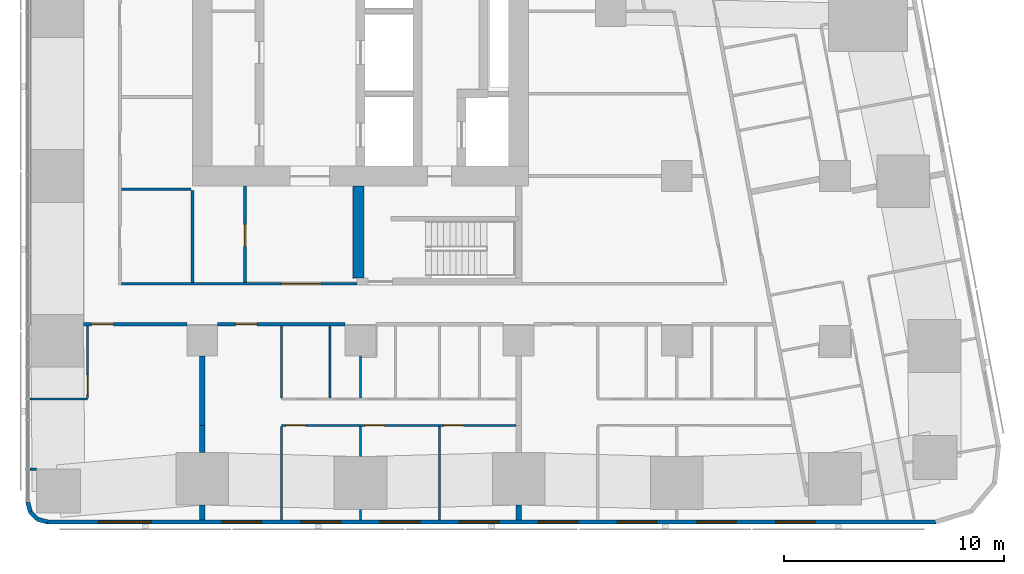
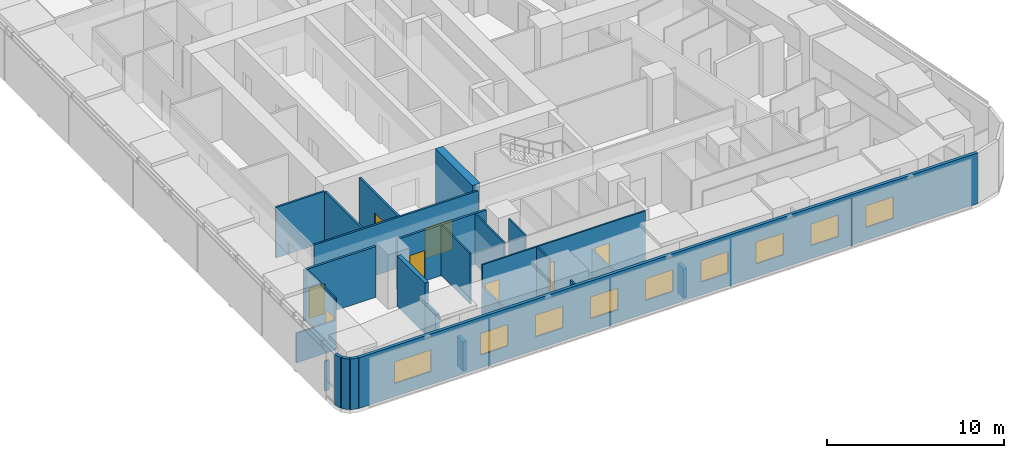
# One storey, part 10 of 19: 26 walls, 9 windows, 8 doors, 17 openings.
"""IFC4 building model written with IfcOpenShell, lengths in metres."""

from ifc_helpers import new_model, si_unit, direction, frame, frame_2d, origin, place, context, subcontext, project, spatial, rectangle, extrude, material, layer, layer_set, type_object, element, fill, save


model = new_model("IFC4")

# Units and contexts
model_context = context("Model", 3, precision=1e-05, world=origin(), true_north=direction((0.0, 1.0)))
body_context = subcontext(model_context, "Body", "Model", "MODEL_VIEW")
ifc_project = project(units=[si_unit("LENGTHUNIT", "METRE"), si_unit("AREAUNIT", "SQUARE_METRE"), si_unit("VOLUMEUNIT", "CUBIC_METRE"), si_unit("PLANEANGLEUNIT", "RADIAN"), si_unit("MASSUNIT", "GRAM", prefix="KILO")], contexts=[model_context])

# Site, building, storey
site_placement = place(None, origin())
site = spatial("IfcSite", under=ifc_project, at=site_placement, CompositionType="ELEMENT")
building_placement = place(site_placement, origin())
building = spatial("IfcBuilding", under=site, at=building_placement, Name="Sheger Commons Tower", CompositionType="ELEMENT")
storey_placement = place(building_placement, frame((0.0, 0.0, 197.449951171875)))
storey = spatial("IfcBuildingStorey", under=building, at=storey_placement, Name="L50", CompositionType="ELEMENT", Elevation=197.449951171875)

# Wall, opening, door
ifc_material_1 = material(Name="Hollow concrete block masonry, skimmed both sides", Category="masonry")
ifc_layer_1 = layer(ifc_material_1, 0.14990234375)
ifc_layer_set_1 = layer_set([ifc_layer_1], Name="CORRIDOR WALL 150")
wall_type_1 = type_object("IfcWallType", Name="CORRIDOR WALL 150", PredefinedType="SOLIDWALL", material=ifc_layer_set_1)
wall_1_placement = place(storey_placement, frame((20.89892578125, 8.25, 0.0), z_axis=(0.0, 0.0, 1.0), x_axis=(-1.0, 0.0, 0.0)))
wall_1 = element("IfcWall", 1, at=wall_1_placement, inside=storey, type_object=wall_type_1, Name="Corridor wall L50", PredefinedType="SOLIDWALL", context=body_context, shape_type="SweptSolid", body=[
    extrude(rectangle(XDim=5.7978515625, YDim=0.14990234375, at=frame_2d((2.89892578125, 0.0))), origin(), (0.0, 0.0, 1.0), 3.5),
])
opening_1_placement = place(wall_1_placement, frame((3.9990234375, 0.0, 0.0)))
opening_1 = element("IfcOpeningElement", 2, at=opening_1_placement, cuts=wall_1, Name="Opening D1", PredefinedType="OPENING", context=body_context, shape_type="SweptSolid", body=[
    extrude(rectangle(XDim=1.0, YDim=2.10009765625, at=frame_2d((0.5, 1.050048828125))), frame((0.0, 0.0849609375, 0.0), z_axis=(0.0, -1.0, 0.0), x_axis=(1.0, 0.0, 0.0)), (0.0, 0.0, 1.0), 0.169921875),
])
ifc_material_2 = material(Name="Steel door set, fire rated", Category="steel")
door_type_1 = type_object("IfcDoorType", Name="FLAT ENTRANCE DOOR 1000x2100", OperationType="NOTDEFINED", PredefinedType="DOOR", material=ifc_material_2)
door_1_placement = place(opening_1_placement, origin())
door_1 = element("IfcDoor", 3, at=door_1_placement, inside=storey, type_object=door_type_1, Name="Flat entrance door", OperationType="SINGLE_SWING_RIGHT", OverallHeight=2.10009765625, OverallWidth=1.0, PredefinedType="DOOR", context=body_context, shape_type="SweptSolid", body=[
    extrude(rectangle(XDim=1.0, YDim=2.10009765625, at=frame_2d((0.5, 1.050048828125))), frame((0.0, 0.02490234375, 0.0), z_axis=(0.0, -1.0, 0.0), x_axis=(1.0, 0.0, 0.0)), (0.0, 0.0, 1.0), 0.050048828125),
])
fill(opening_1, door_1)

wall_2_placement = place(storey_placement, frame((13.698974609375, 8.25, 0.0), z_axis=(0.0, 0.0, 1.0), x_axis=(-1.0, 0.0, 0.0)))
wall_2 = element("IfcWall", 4, at=wall_2_placement, inside=storey, type_object=wall_type_1, Name="Corridor wall L50", PredefinedType="SOLIDWALL", context=body_context, shape_type="SweptSolid", body=[
    extrude(rectangle(XDim=4.697998046875, YDim=0.14990234375, at=frame_2d((2.34912109375, 0.0))), origin(), (0.0, 0.0, 1.0), 3.5),
])
opening_2_placement = place(wall_2_placement, frame((3.344970703125, 0.0, 0.0)))
opening_2 = element("IfcOpeningElement", 5, at=opening_2_placement, cuts=wall_2, Name="Opening D1", PredefinedType="OPENING", context=body_context, shape_type="SweptSolid", body=[
    extrude(rectangle(XDim=1.0, YDim=2.10009765625, at=frame_2d((0.5, 1.050048828125))), frame((0.0, 0.0849609375, 0.0), z_axis=(0.0, -1.0, 0.0), x_axis=(1.0, 0.0, 0.0)), (0.0, 0.0, 1.0), 0.169921875),
])
door_2_placement = place(opening_2_placement, origin())
door_2 = element("IfcDoor", 6, at=door_2_placement, inside=storey, type_object=door_type_1, Name="Flat entrance door", OperationType="SINGLE_SWING_RIGHT", OverallHeight=2.10009765625, OverallWidth=1.0, PredefinedType="DOOR", context=body_context, shape_type="SweptSolid", body=[
    extrude(rectangle(XDim=1.0, YDim=2.10009765625, at=frame_2d((0.5, 1.050048828125))), frame((0.0, 0.02490234375, 0.0), z_axis=(0.0, -1.0, 0.0), x_axis=(1.0, 0.0, 0.0)), (0.0, 0.0, 1.0), 0.050048828125),
])
fill(opening_2, door_2)

# Walls
ifc_material_3 = material(Name="Dense concrete block masonry, plastered both sides (separating wall between flats)", Category="masonry")
ifc_layer_2 = layer(ifc_material_3, 0.25)
ifc_layer_set_2 = layer_set([ifc_layer_2], Name="DEMISING WALL 250")
wall_type_2 = type_object("IfcWallType", Name="DEMISING WALL 250", PredefinedType="SOLIDWALL", material=ifc_layer_set_2)
wall_3_placement = place(storey_placement, frame((14.39990234375, -0.64990234375, 0.0), z_axis=(0.0, 0.0, 1.0), x_axis=(0.0, 1.0, 0.0)))
element("IfcWall", 7, at=wall_3_placement, inside=storey, type_object=wall_type_2, Name="Demising wall L50", PredefinedType="SOLIDWALL", context=body_context, shape_type="SweptSolid", body=[
    extrude(rectangle(XDim=0.673828125, YDim=0.25, at=frame_2d((0.3369140625, 0.0))), origin(), (0.0, 0.0, 1.0), 2.050048828125),
])
wall_4_placement = place(storey_placement, frame((14.39990234375, 2.426025390625, 0.0), z_axis=(0.0, 0.0, 1.0), x_axis=(0.0, 1.0, 0.0)))
element("IfcWall", 8, at=wall_4_placement, inside=storey, type_object=wall_type_2, Name="Demising wall L50", PredefinedType="SOLIDWALL", context=body_context, shape_type="SweptSolid", body=[
    extrude(rectangle(XDim=1.223876953125, YDim=0.25, at=frame_2d((0.61181640625, 0.0))), origin(), (0.0, 0.0, 1.0), 2.050048828125),
])
wall_5_placement = place(storey_placement, frame((14.39990234375, 3.64990234375, 0.0), z_axis=(0.0, 0.0, 1.0), x_axis=(0.0, 1.0, 0.0)))
element("IfcWall", 9, at=wall_5_placement, inside=storey, type_object=wall_type_2, Name="Demising wall L50", PredefinedType="SOLIDWALL", context=body_context, shape_type="SweptSolid", body=[
    extrude(rectangle(XDim=3.149169921875, YDim=0.25, at=frame_2d((1.57470703125, 0.0))), origin(), (0.0, 0.0, 1.0), 3.5),
])
wall_6_placement = place(storey_placement, frame((28.800048828125, -0.64990234375, 0.0), z_axis=(0.0, 0.0, 1.0), x_axis=(0.0, 1.0, 0.0)))
element("IfcWall", 10, at=wall_6_placement, inside=storey, type_object=wall_type_2, Name="Demising wall L50", PredefinedType="SOLIDWALL", context=body_context, shape_type="SweptSolid", body=[
    extrude(rectangle(XDim=0.673828125, YDim=0.25, at=frame_2d((0.3369140625, 0.0))), origin(), (0.0, 0.0, 1.0), 2.050048828125),
])

# Wall, openings, windows
ifc_material_4 = material(Name="Rendered concrete block masonry, dark grey", Category="masonry")
ifc_layer_3 = layer(ifc_material_4, 0.199951171875)
ifc_layer_set_3 = layer_set([ifc_layer_3], Name="FACADE WALL 200")
wall_type_3 = type_object("IfcWallType", Name="FACADE WALL 200", PredefinedType="SOLIDWALL", material=ifc_layer_set_3)
wall_7_placement = place(storey_placement, frame((7.363037109375, -0.75, 0.0), z_axis=(0.0, 0.0, 1.0), x_axis=(1.0, 0.0, 0.0)))
wall_7 = element("IfcWall", 11, at=wall_7_placement, inside=storey, type_object=wall_type_3, Name="Facade wall L50", PredefinedType="SOLIDWALL", context=body_context, shape_type="SweptSolid", body=[
    extrude(rectangle(XDim=40.427978515625, YDim=0.199951171875, at=frame_2d((20.2138671875, 0.0))), origin(), (0.0, 0.0, 1.0), 3.5),
])
opening_3_placement = place(wall_7_placement, frame((2.319091796875, 0.0, 0.89990234375)))
opening_3 = element("IfcOpeningElement", 12, at=opening_3_placement, cuts=wall_7, Name="Opening W1", PredefinedType="OPENING", context=body_context, shape_type="SweptSolid", body=[
    extrude(rectangle(XDim=2.39990234375, YDim=1.5, at=frame_2d((1.199951171875, 0.75))), frame((0.0, 0.10986328125, 0.0), z_axis=(0.0, -1.0, 0.0), x_axis=(1.0, 0.0, 0.0)), (0.0, 0.0, 1.0), 0.219970703125),
])
opening_4_placement = place(wall_7_placement, frame((7.93701171875, 0.0, 0.89990234375)))
opening_4 = element("IfcOpeningElement", 13, at=opening_4_placement, cuts=wall_7, Name="Opening W2", PredefinedType="OPENING", context=body_context, shape_type="SweptSolid", body=[
    extrude(rectangle(XDim=1.800048828125, YDim=1.5, at=frame_2d((0.89990234375, 0.75))), frame((0.0, 0.10986328125, 0.0), z_axis=(0.0, -1.0, 0.0), x_axis=(1.0, 0.0, 0.0)), (0.0, 0.0, 1.0), 0.219970703125),
])
opening_5_placement = place(wall_7_placement, frame((11.537109375, 0.0, 0.89990234375)))
opening_5 = element("IfcOpeningElement", 14, at=opening_5_placement, cuts=wall_7, Name="Opening W2", PredefinedType="OPENING", context=body_context, shape_type="SweptSolid", body=[
    extrude(rectangle(XDim=1.800048828125, YDim=1.5, at=frame_2d((0.89990234375, 0.75))), frame((0.0, 0.10986328125, 0.0), z_axis=(0.0, -1.0, 0.0), x_axis=(1.0, 0.0, 0.0)), (0.0, 0.0, 1.0), 0.219970703125),
])
opening_6_placement = place(wall_7_placement, frame((15.136962890625, 0.0, 0.89990234375)))
opening_6 = element("IfcOpeningElement", 15, at=opening_6_placement, cuts=wall_7, Name="Opening W2", PredefinedType="OPENING", context=body_context, shape_type="SweptSolid", body=[
    extrude(rectangle(XDim=1.800048828125, YDim=1.5, at=frame_2d((0.89990234375, 0.75))), frame((0.0, 0.10986328125, 0.0), z_axis=(0.0, -1.0, 0.0), x_axis=(1.0, 0.0, 0.0)), (0.0, 0.0, 1.0), 0.219970703125),
])
opening_7_placement = place(wall_7_placement, frame((18.737060546875, 0.0, 0.89990234375)))
opening_7 = element("IfcOpeningElement", 16, at=opening_7_placement, cuts=wall_7, Name="Opening W2", PredefinedType="OPENING", context=body_context, shape_type="SweptSolid", body=[
    extrude(rectangle(XDim=1.800048828125, YDim=1.5, at=frame_2d((0.89990234375, 0.75))), frame((0.0, 0.10986328125, 0.0), z_axis=(0.0, -1.0, 0.0), x_axis=(1.0, 0.0, 0.0)), (0.0, 0.0, 1.0), 0.219970703125),
])
opening_8_placement = place(wall_7_placement, frame((22.3369140625, 0.0, 0.89990234375)))
opening_8 = element("IfcOpeningElement", 17, at=opening_8_placement, cuts=wall_7, Name="Opening W2", PredefinedType="OPENING", context=body_context, shape_type="SweptSolid", body=[
    extrude(rectangle(XDim=1.800048828125, YDim=1.5, at=frame_2d((0.89990234375, 0.75))), frame((0.0, 0.10986328125, 0.0), z_axis=(0.0, -1.0, 0.0), x_axis=(1.0, 0.0, 0.0)), (0.0, 0.0, 1.0), 0.219970703125),
])
opening_9_placement = place(wall_7_placement, frame((25.93701171875, 0.0, 0.89990234375)))
opening_9 = element("IfcOpeningElement", 18, at=opening_9_placement, cuts=wall_7, Name="Opening W2", PredefinedType="OPENING", context=body_context, shape_type="SweptSolid", body=[
    extrude(rectangle(XDim=1.800048828125, YDim=1.5, at=frame_2d((0.89990234375, 0.75))), frame((0.0, 0.10986328125, 0.0), z_axis=(0.0, -1.0, 0.0), x_axis=(1.0, 0.0, 0.0)), (0.0, 0.0, 1.0), 0.219970703125),
])
opening_10_placement = place(wall_7_placement, frame((29.537109375, 0.0, 0.89990234375)))
opening_10 = element("IfcOpeningElement", 19, at=opening_10_placement, cuts=wall_7, Name="Opening W2", PredefinedType="OPENING", context=body_context, shape_type="SweptSolid", body=[
    extrude(rectangle(XDim=1.800048828125, YDim=1.5, at=frame_2d((0.89990234375, 0.75))), frame((0.0, 0.10986328125, 0.0), z_axis=(0.0, -1.0, 0.0), x_axis=(1.0, 0.0, 0.0)), (0.0, 0.0, 1.0), 0.219970703125),
])
opening_11_placement = place(wall_7_placement, frame((33.136962890625, 0.0, 0.89990234375)))
opening_11 = element("IfcOpeningElement", 20, at=opening_11_placement, cuts=wall_7, Name="Opening W2", PredefinedType="OPENING", context=body_context, shape_type="SweptSolid", body=[
    extrude(rectangle(XDim=1.800048828125, YDim=1.5, at=frame_2d((0.89990234375, 0.75))), frame((0.0, 0.10986328125, 0.0), z_axis=(0.0, -1.0, 0.0), x_axis=(1.0, 0.0, 0.0)), (0.0, 0.0, 1.0), 0.219970703125),
])
ifc_material_5 = material(Name="Black aluminium frame, dark tinted double glazing", Category="aluminium")
window_type_1 = type_object("IfcWindowType", Name="WINDOW W1 2400x1500", PartitioningType="SINGLE_PANEL", PredefinedType="WINDOW", material=ifc_material_5)
window_1_placement = place(opening_3_placement, origin())
window_1 = element("IfcWindow", 21, at=window_1_placement, inside=storey, type_object=window_type_1, Name="Window W1 2400X1500", OverallHeight=1.5, OverallWidth=2.39990234375, PartitioningType="SINGLE_PANEL", PredefinedType="WINDOW", context=body_context, shape_type="SweptSolid", body=[
    extrude(rectangle(XDim=2.39990234375, YDim=1.5, at=frame_2d((1.199951171875, 0.75))), frame((0.0, 0.030029296875, 0.0), z_axis=(0.0, -1.0, 0.0), x_axis=(1.0, 0.0, 0.0)), (0.0, 0.0, 1.0), 0.06005859375),
])
fill(opening_3, window_1)
ifc_material_6 = material(Name="Black aluminium frame, dark tinted double glazing", Category="aluminium")
window_type_2 = type_object("IfcWindowType", Name="WINDOW W2 1800x1500", PartitioningType="SINGLE_PANEL", PredefinedType="WINDOW", material=ifc_material_6)
window_2_placement = place(opening_4_placement, origin())
window_2 = element("IfcWindow", 22, at=window_2_placement, inside=storey, type_object=window_type_2, Name="Window W2 1800X1500", OverallHeight=1.5, OverallWidth=1.800048828125, PartitioningType="SINGLE_PANEL", PredefinedType="WINDOW", context=body_context, shape_type="SweptSolid", body=[
    extrude(rectangle(XDim=1.800048828125, YDim=1.5, at=frame_2d((0.89990234375, 0.75))), frame((0.0, 0.030029296875, 0.0), z_axis=(0.0, -1.0, 0.0), x_axis=(1.0, 0.0, 0.0)), (0.0, 0.0, 1.0), 0.06005859375),
])
fill(opening_4, window_2)
window_3_placement = place(opening_5_placement, origin())
window_3 = element("IfcWindow", 23, at=window_3_placement, inside=storey, type_object=window_type_2, Name="Window W2 1800X1500", OverallHeight=1.5, OverallWidth=1.800048828125, PartitioningType="SINGLE_PANEL", PredefinedType="WINDOW", context=body_context, shape_type="SweptSolid", body=[
    extrude(rectangle(XDim=1.800048828125, YDim=1.5, at=frame_2d((0.89990234375, 0.75))), frame((0.0, 0.030029296875, 0.0), z_axis=(0.0, -1.0, 0.0), x_axis=(1.0, 0.0, 0.0)), (0.0, 0.0, 1.0), 0.06005859375),
])
fill(opening_5, window_3)
window_4_placement = place(opening_6_placement, origin())
window_4 = element("IfcWindow", 24, at=window_4_placement, inside=storey, type_object=window_type_2, Name="Window W2 1800X1500", OverallHeight=1.5, OverallWidth=1.800048828125, PartitioningType="SINGLE_PANEL", PredefinedType="WINDOW", context=body_context, shape_type="SweptSolid", body=[
    extrude(rectangle(XDim=1.800048828125, YDim=1.5, at=frame_2d((0.89990234375, 0.75))), frame((0.0, 0.030029296875, 0.0), z_axis=(0.0, -1.0, 0.0), x_axis=(1.0, 0.0, 0.0)), (0.0, 0.0, 1.0), 0.06005859375),
])
fill(opening_6, window_4)
window_5_placement = place(opening_7_placement, origin())
window_5 = element("IfcWindow", 25, at=window_5_placement, inside=storey, type_object=window_type_2, Name="Window W2 1800X1500", OverallHeight=1.5, OverallWidth=1.800048828125, PartitioningType="SINGLE_PANEL", PredefinedType="WINDOW", context=body_context, shape_type="SweptSolid", body=[
    extrude(rectangle(XDim=1.800048828125, YDim=1.5, at=frame_2d((0.89990234375, 0.75))), frame((0.0, 0.030029296875, 0.0), z_axis=(0.0, -1.0, 0.0), x_axis=(1.0, 0.0, 0.0)), (0.0, 0.0, 1.0), 0.06005859375),
])
fill(opening_7, window_5)
window_6_placement = place(opening_8_placement, origin())
window_6 = element("IfcWindow", 26, at=window_6_placement, inside=storey, type_object=window_type_2, Name="Window W2 1800X1500", OverallHeight=1.5, OverallWidth=1.800048828125, PartitioningType="SINGLE_PANEL", PredefinedType="WINDOW", context=body_context, shape_type="SweptSolid", body=[
    extrude(rectangle(XDim=1.800048828125, YDim=1.5, at=frame_2d((0.89990234375, 0.75))), frame((0.0, 0.030029296875, 0.0), z_axis=(0.0, -1.0, 0.0), x_axis=(1.0, 0.0, 0.0)), (0.0, 0.0, 1.0), 0.06005859375),
])
fill(opening_8, window_6)
window_7_placement = place(opening_9_placement, origin())
window_7 = element("IfcWindow", 27, at=window_7_placement, inside=storey, type_object=window_type_2, Name="Window W2 1800X1500", OverallHeight=1.5, OverallWidth=1.800048828125, PartitioningType="SINGLE_PANEL", PredefinedType="WINDOW", context=body_context, shape_type="SweptSolid", body=[
    extrude(rectangle(XDim=1.800048828125, YDim=1.5, at=frame_2d((0.89990234375, 0.75))), frame((0.0, 0.030029296875, 0.0), z_axis=(0.0, -1.0, 0.0), x_axis=(1.0, 0.0, 0.0)), (0.0, 0.0, 1.0), 0.06005859375),
])
fill(opening_9, window_7)
window_8_placement = place(opening_10_placement, origin())
window_8 = element("IfcWindow", 28, at=window_8_placement, inside=storey, type_object=window_type_2, Name="Window W2 1800X1500", OverallHeight=1.5, OverallWidth=1.800048828125, PartitioningType="SINGLE_PANEL", PredefinedType="WINDOW", context=body_context, shape_type="SweptSolid", body=[
    extrude(rectangle(XDim=1.800048828125, YDim=1.5, at=frame_2d((0.89990234375, 0.75))), frame((0.0, 0.030029296875, 0.0), z_axis=(0.0, -1.0, 0.0), x_axis=(1.0, 0.0, 0.0)), (0.0, 0.0, 1.0), 0.06005859375),
])
fill(opening_10, window_8)
window_9_placement = place(opening_11_placement, origin())
window_9 = element("IfcWindow", 29, at=window_9_placement, inside=storey, type_object=window_type_2, Name="Window W2 1800X1500", OverallHeight=1.5, OverallWidth=1.800048828125, PartitioningType="SINGLE_PANEL", PredefinedType="WINDOW", context=body_context, shape_type="SweptSolid", body=[
    extrude(rectangle(XDim=1.800048828125, YDim=1.5, at=frame_2d((0.89990234375, 0.75))), frame((0.0, 0.030029296875, 0.0), z_axis=(0.0, -1.0, 0.0), x_axis=(1.0, 0.0, 0.0)), (0.0, 0.0, 1.0), 0.06005859375),
])
fill(opening_11, window_9)

# Walls
wall_8_placement = place(storey_placement, frame((6.449951171875, 0.1630859375, 0.0), z_axis=(0.0, 0.0, 1.0), x_axis=(0.259698463175, -0.965689757751, 0.0)))
element("IfcWall", 30, at=wall_8_placement, inside=storey, type_object=wall_type_3, Name="Facade wall L50", PredefinedType="SOLIDWALL", context=body_context, shape_type="SweptSolid", body=[
    extrude(rectangle(XDim=0.4775390625, YDim=0.199951171875, at=frame_2d((0.23876953125, 0.0))), origin(), (0.0, 0.0, 1.0), 3.5),
])
wall_9_placement = place(storey_placement, frame((6.573974609375, -0.298095703125, 0.0), z_axis=(0.0, 0.0, 1.0), x_axis=(0.707369890659, -0.706843573776, 0.0)))
element("IfcWall", 31, at=wall_9_placement, inside=storey, type_object=wall_type_3, Name="Facade wall L50", PredefinedType="SOLIDWALL", context=body_context, shape_type="SweptSolid", body=[
    extrude(rectangle(XDim=0.4638671875, YDim=0.199951171875, at=frame_2d((0.23193359375, 0.0))), origin(), (0.0, 0.0, 1.0), 3.5),
])
wall_10_placement = place(storey_placement, frame((6.902099609375, -0.6259765625, 0.0), z_axis=(0.0, 0.0, 1.0), x_axis=(0.965655254015, -0.259826731483, 0.0)))
element("IfcWall", 32, at=wall_10_placement, inside=storey, type_object=wall_type_3, Name="Facade wall L50", PredefinedType="SOLIDWALL", context=body_context, shape_type="SweptSolid", body=[
    extrude(rectangle(XDim=0.477294921875, YDim=0.199951171875, at=frame_2d((0.23876953125, 0.0))), origin(), (0.0, 0.0, 1.0), 3.5),
])
ifc_material_7 = material(Name="Gypsum board on steel studs", Category="steel")
ifc_layer_4 = layer(ifc_material_7, 0.10009765625)
ifc_layer_set_4 = layer_set([ifc_layer_4], Name="PARTITION 100")
wall_type_4 = type_object("IfcWallType", Name="PARTITION 100", PredefinedType="PARTITIONING", material=ifc_layer_set_4)
wall_11_placement = place(storey_placement, frame((6.550048828125, 1.654052734375, 0.0), z_axis=(0.0, 0.0, 1.0), x_axis=(1.0, 0.0, 0.0)))
element("IfcWall", 33, at=wall_11_placement, inside=storey, type_object=wall_type_4, Name="Partition L50", PredefinedType="PARTITIONING", context=body_context, shape_type="SweptSolid", body=[
    extrude(rectangle(XDim=0.303955078125, YDim=0.10009765625, at=frame_2d((0.15185546875, 0.0))), origin(), (0.0, 0.0, 1.0), 2.050048828125),
])
wall_12_placement = place(storey_placement, frame((9.178955078125, 4.85009765625, 0.0), z_axis=(0.0, 0.0, 1.0), x_axis=(-1.0, 0.0, 0.0)))
element("IfcWall", 34, at=wall_12_placement, inside=storey, type_object=wall_type_4, Name="Partition L50", PredefinedType="PARTITIONING", context=body_context, shape_type="SweptSolid", body=[
    extrude(rectangle(XDim=2.62890625, YDim=0.10009765625, at=frame_2d((1.314453125, 0.0))), origin(), (0.0, 0.0, 1.0), 2.050048828125),
])

# Wall, opening, door
wall_13_placement = place(storey_placement, frame((9.178955078125, 4.89990234375, 0.0), z_axis=(0.0, 0.0, 1.0), x_axis=(0.0, 1.0, 0.0)))
wall_13 = element("IfcWall", 35, at=wall_13_placement, inside=storey, type_object=wall_type_4, Name="Partition L50", PredefinedType="PARTITIONING", context=body_context, shape_type="SweptSolid", body=[
    extrude(rectangle(XDim=3.275146484375, YDim=0.10009765625, at=frame_2d((1.6376953125, 0.0))), origin(), (0.0, 0.0, 1.0), 3.5),
])
opening_12_placement = place(wall_13_placement, frame((0.14990234375, 0.0, 0.0)))
opening_12 = element("IfcOpeningElement", 36, at=opening_12_placement, cuts=wall_13, Name="Opening D2", PredefinedType="OPENING", context=body_context, shape_type="SweptSolid", body=[
    extrude(rectangle(XDim=0.89990234375, YDim=2.10009765625, at=frame_2d((0.449951171875, 1.050048828125))), frame((0.0, 0.06005859375, 0.0), z_axis=(0.0, -1.0, 0.0), x_axis=(1.0, 0.0, 0.0)), (0.0, 0.0, 1.0), 0.1201171875),
])
ifc_material_8 = material(Name="Timber door set", Category="wood")
door_type_2 = type_object("IfcDoorType", Name="INTERNAL DOOR 900x2100", OperationType="NOTDEFINED", PredefinedType="DOOR", material=ifc_material_8)
door_3_placement = place(opening_12_placement, origin())
door_3 = element("IfcDoor", 37, at=door_3_placement, inside=storey, type_object=door_type_2, Name="Shower room door", OperationType="SINGLE_SWING_LEFT", OverallHeight=2.10009765625, OverallWidth=0.89990234375, PredefinedType="DOOR", context=body_context, shape_type="SweptSolid", body=[
    extrude(rectangle(XDim=0.89990234375, YDim=2.10009765625, at=frame_2d((0.449951171875, 1.050048828125))), frame((0.0, 0.02490234375, 0.0), z_axis=(0.0, -1.0, 0.0), x_axis=(1.0, 0.0, 0.0)), (0.0, 0.0, 1.0), 0.050048828125),
])
fill(opening_12, door_3)

# Wall, openings, doors
wall_14_placement = place(storey_placement, frame((28.675048828125, 3.64990234375, 0.0), z_axis=(0.0, 0.0, 1.0), x_axis=(-1.0, 0.0, 0.0)))
wall_14 = element("IfcWall", 38, at=wall_14_placement, inside=storey, type_object=wall_type_4, Name="Partition L50", PredefinedType="PARTITIONING", context=body_context, shape_type="SweptSolid", body=[
    extrude(rectangle(XDim=10.675048828125, YDim=0.10009765625, at=frame_2d((5.33740234375, 0.0))), origin(), (0.0, 0.0, 1.0), 3.5),
])
opening_13_placement = place(wall_14_placement, frame((9.574951171875, 0.0, 0.0)))
opening_13 = element("IfcOpeningElement", 39, at=opening_13_placement, cuts=wall_14, Name="Opening D2", PredefinedType="OPENING", context=body_context, shape_type="SweptSolid", body=[
    extrude(rectangle(XDim=0.89990234375, YDim=2.10009765625, at=frame_2d((0.449951171875, 1.050048828125))), frame((0.0, 0.06005859375, 0.0), z_axis=(0.0, -1.0, 0.0), x_axis=(1.0, 0.0, 0.0)), (0.0, 0.0, 1.0), 0.1201171875),
])
opening_14_placement = place(wall_14_placement, frame((5.97509765625, 0.0, 0.0)))
opening_14 = element("IfcOpeningElement", 40, at=opening_14_placement, cuts=wall_14, Name="Opening D2", PredefinedType="OPENING", context=body_context, shape_type="SweptSolid", body=[
    extrude(rectangle(XDim=0.89990234375, YDim=2.10009765625, at=frame_2d((0.449951171875, 1.050048828125))), frame((0.0, 0.06005859375, 0.0), z_axis=(0.0, -1.0, 0.0), x_axis=(1.0, 0.0, 0.0)), (0.0, 0.0, 1.0), 0.1201171875),
])
opening_15_placement = place(wall_14_placement, frame((2.375, 0.0, 0.0)))
opening_15 = element("IfcOpeningElement", 41, at=opening_15_placement, cuts=wall_14, Name="Opening D2", PredefinedType="OPENING", context=body_context, shape_type="SweptSolid", body=[
    extrude(rectangle(XDim=0.89990234375, YDim=2.10009765625, at=frame_2d((0.449951171875, 1.050048828125))), frame((0.0, 0.06005859375, 0.0), z_axis=(0.0, -1.0, 0.0), x_axis=(1.0, 0.0, 0.0)), (0.0, 0.0, 1.0), 0.1201171875),
])
door_4_placement = place(opening_13_placement, origin())
door_4 = element("IfcDoor", 42, at=door_4_placement, inside=storey, type_object=door_type_2, Name="Main bedroom door", OperationType="SINGLE_SWING_RIGHT", OverallHeight=2.10009765625, OverallWidth=0.89990234375, PredefinedType="DOOR", context=body_context, shape_type="SweptSolid", body=[
    extrude(rectangle(XDim=0.89990234375, YDim=2.10009765625, at=frame_2d((0.449951171875, 1.050048828125))), frame((0.0, 0.02490234375, 0.0), z_axis=(0.0, -1.0, 0.0), x_axis=(1.0, 0.0, 0.0)), (0.0, 0.0, 1.0), 0.050048828125),
])
fill(opening_13, door_4)
door_5_placement = place(opening_14_placement, origin())
door_5 = element("IfcDoor", 43, at=door_5_placement, inside=storey, type_object=door_type_2, Name="Bedroom 2 door", OperationType="SINGLE_SWING_RIGHT", OverallHeight=2.10009765625, OverallWidth=0.89990234375, PredefinedType="DOOR", context=body_context, shape_type="SweptSolid", body=[
    extrude(rectangle(XDim=0.89990234375, YDim=2.10009765625, at=frame_2d((0.449951171875, 1.050048828125))), frame((0.0, 0.02490234375, 0.0), z_axis=(0.0, -1.0, 0.0), x_axis=(1.0, 0.0, 0.0)), (0.0, 0.0, 1.0), 0.050048828125),
])
fill(opening_14, door_5)
door_6_placement = place(opening_15_placement, origin())
door_6 = element("IfcDoor", 44, at=door_6_placement, inside=storey, type_object=door_type_2, Name="Bedroom 3 door", OperationType="SINGLE_SWING_RIGHT", OverallHeight=2.10009765625, OverallWidth=0.89990234375, PredefinedType="DOOR", context=body_context, shape_type="SweptSolid", body=[
    extrude(rectangle(XDim=0.89990234375, YDim=2.10009765625, at=frame_2d((0.449951171875, 1.050048828125))), frame((0.0, 0.02490234375, 0.0), z_axis=(0.0, -1.0, 0.0), x_axis=(1.0, 0.0, 0.0)), (0.0, 0.0, 1.0), 0.050048828125),
])
fill(opening_15, door_6)

# Walls
wall_15_placement = place(storey_placement, frame((18.0, -0.64990234375, 0.0), z_axis=(0.0, 0.0, 1.0), x_axis=(0.0, 1.0, 0.0)))
element("IfcWall", 45, at=wall_15_placement, inside=storey, type_object=wall_type_4, Name="Partition L50", PredefinedType="PARTITIONING", context=body_context, shape_type="SweptSolid", body=[
    extrude(rectangle(XDim=4.25, YDim=0.10009765625, at=frame_2d((2.125, 0.0))), origin(), (0.0, 0.0, 1.0), 2.050048828125),
])
wall_16_placement = place(storey_placement, frame((21.60009765625, -0.64990234375, 0.0), z_axis=(0.0, 0.0, 1.0), x_axis=(0.0, 1.0, 0.0)))
element("IfcWall", 46, at=wall_16_placement, inside=storey, type_object=wall_type_4, Name="Partition L50", PredefinedType="PARTITIONING", context=body_context, shape_type="SweptSolid", body=[
    extrude(rectangle(XDim=0.473876953125, YDim=0.10009765625, at=frame_2d((0.23681640625, 0.0))), origin(), (0.0, 0.0, 1.0), 3.5),
])
wall_17_placement = place(storey_placement, frame((21.60009765625, 2.22607421875, 0.0), z_axis=(0.0, 0.0, 1.0), x_axis=(0.0, 1.0, 0.0)))
element("IfcWall", 47, at=wall_17_placement, inside=storey, type_object=wall_type_4, Name="Partition L50", PredefinedType="PARTITIONING", context=body_context, shape_type="SweptSolid", body=[
    extrude(rectangle(XDim=1.3740234375, YDim=0.10009765625, at=frame_2d((0.68701171875, 0.0))), origin(), (0.0, 0.0, 1.0), 3.5),
])
wall_18_placement = place(storey_placement, frame((25.199951171875, -0.64990234375, 0.0), z_axis=(0.0, 0.0, 1.0), x_axis=(0.0, 1.0, 0.0)))
element("IfcWall", 48, at=wall_18_placement, inside=storey, type_object=wall_type_4, Name="Partition L50", PredefinedType="PARTITIONING", context=body_context, shape_type="SweptSolid", body=[
    extrude(rectangle(XDim=4.25, YDim=0.10009765625, at=frame_2d((2.125, 0.0))), origin(), (0.0, 0.0, 1.0), 2.050048828125),
])
wall_19_placement = place(storey_placement, frame((18.0, 4.89990234375, 0.0), z_axis=(0.0, 0.0, 1.0), x_axis=(0.0, 1.0, 0.0)))
element("IfcWall", 49, at=wall_19_placement, inside=storey, type_object=wall_type_4, Name="Partition L50", PredefinedType="PARTITIONING", context=body_context, shape_type="SweptSolid", body=[
    extrude(rectangle(XDim=3.275146484375, YDim=0.10009765625, at=frame_2d((1.6376953125, 0.0))), origin(), (0.0, 0.0, 1.0), 3.5),
])
wall_20_placement = place(storey_placement, frame((21.60009765625, 4.89990234375, 0.0), z_axis=(0.0, 0.0, 1.0), x_axis=(0.0, 1.0, 0.0)))
element("IfcWall", 50, at=wall_20_placement, inside=storey, type_object=wall_type_4, Name="Partition L50", PredefinedType="PARTITIONING", context=body_context, shape_type="SweptSolid", body=[
    extrude(rectangle(XDim=1.899169921875, YDim=0.10009765625, at=frame_2d((0.94970703125, 0.0))), origin(), (0.0, 0.0, 1.0), 3.5),
])
wall_21_placement = place(storey_placement, frame((20.2099609375, 4.89990234375, 0.0), z_axis=(0.0, 0.0, 1.0), x_axis=(0.0, 1.0, 0.0)))
element("IfcWall", 51, at=wall_21_placement, inside=storey, type_object=wall_type_4, Name="Partition L50", PredefinedType="PARTITIONING", context=body_context, shape_type="SweptSolid", body=[
    extrude(rectangle(XDim=3.275146484375, YDim=0.10009765625, at=frame_2d((1.6376953125, 0.0))), origin(), (0.0, 0.0, 1.0), 3.5),
])
ifc_material_9 = material(Name="Gypsum board on steel studs, two layers each side, fire rated", Category="steel")
ifc_layer_5 = layer(ifc_material_9, 0.125)
ifc_layer_set_5 = layer_set([ifc_layer_5], Name="SERVICE WALL 125")
wall_type_5 = type_object("IfcWallType", Name="SERVICE WALL 125", PredefinedType="PARTITIONING", material=ifc_layer_set_5)
wall_22_placement = place(storey_placement, frame((10.712890625, 14.39990234375, 0.0), z_axis=(0.0, 0.0, 1.0), x_axis=(1.0, 0.0, 0.0)))
element("IfcWall", 52, at=wall_22_placement, inside=storey, type_object=wall_type_5, Name="Service room wall L50", PredefinedType="PARTITIONING", context=body_context, shape_type="SweptSolid", body=[
    extrude(rectangle(XDim=3.175048828125, YDim=0.125, at=frame_2d((1.58740234375, 0.0))), origin(), (0.0, 0.0, 1.0), 3.5),
])
wall_23_placement = place(storey_placement, frame((13.949951171875, 10.1630859375, 0.0), z_axis=(0.0, 0.0, 1.0), x_axis=(0.0, 1.0, 0.0)))
element("IfcWall", 53, at=wall_23_placement, inside=storey, type_object=wall_type_5, Name="Service room wall L50", PredefinedType="PARTITIONING", context=body_context, shape_type="SweptSolid", body=[
    extrude(rectangle(XDim=4.1748046875, YDim=0.125, at=frame_2d((2.08740234375, 0.0))), origin(), (0.0, 0.0, 1.0), 3.5),
])

# Wall, opening, door
wall_24_placement = place(storey_placement, frame((10.712890625, 10.10009765625, 0.0), z_axis=(0.0, 0.0, 1.0), x_axis=(1.0, 0.0, 0.0)))
wall_24 = element("IfcWall", 54, at=wall_24_placement, inside=storey, type_object=wall_type_5, Name="Service room wall L50", PredefinedType="PARTITIONING", context=body_context, shape_type="SweptSolid", body=[
    extrude(rectangle(XDim=10.737060546875, YDim=0.125, at=frame_2d((5.36865234375, 0.0))), origin(), (0.0, 0.0, 1.0), 3.5),
])
opening_16_placement = place(wall_24_placement, frame((7.281982421875, 0.0, 0.0)))
opening_16 = element("IfcOpeningElement", 55, at=opening_16_placement, cuts=wall_24, Name="Opening D6", PredefinedType="OPENING", context=body_context, shape_type="SweptSolid", body=[
    extrude(rectangle(XDim=1.800048828125, YDim=2.10009765625, at=frame_2d((0.89990234375, 1.050048828125))), frame((0.0, 0.072509765625, 0.0), z_axis=(0.0, -1.0, 0.0), x_axis=(1.0, 0.0, 0.0)), (0.0, 0.0, 1.0), 0.14501953125),
])
ifc_material_10 = material(Name="Steel door set, fire rated", Category="steel")
door_type_3 = type_object("IfcDoorType", Name="LOBBY DOUBLE DOOR 1800x2100", OperationType="DOUBLE_DOOR_SINGLE_SWING", PredefinedType="DOOR", material=ifc_material_10)
door_7_placement = place(opening_16_placement, origin())
door_7 = element("IfcDoor", 56, at=door_7_placement, inside=storey, type_object=door_type_3, Name="Lift lobby south door", OperationType="DOUBLE_DOOR_SINGLE_SWING", OverallHeight=2.10009765625, OverallWidth=1.800048828125, PredefinedType="DOOR", context=body_context, shape_type="SweptSolid", body=[
    extrude(rectangle(XDim=1.800048828125, YDim=2.10009765625, at=frame_2d((0.89990234375, 1.050048828125))), frame((0.0, 0.02490234375, 0.0), z_axis=(0.0, -1.0, 0.0), x_axis=(1.0, 0.0, 0.0)), (0.0, 0.0, 1.0), 0.050048828125),
])
fill(opening_16, door_7)

wall_25_placement = place(storey_placement, frame((16.340087890625, 10.1630859375, 0.0), z_axis=(0.0, 0.0, 1.0), x_axis=(0.0, 1.0, 0.0)))
wall_25 = element("IfcWall", 57, at=wall_25_placement, inside=storey, type_object=wall_type_5, Name="Service room wall L50", PredefinedType="PARTITIONING", context=body_context, shape_type="SweptSolid", body=[
    extrude(rectangle(XDim=4.386962890625, YDim=0.125, at=frame_2d((2.193359375, 0.0))), origin(), (0.0, 0.0, 1.0), 3.5),
])
opening_17_placement = place(wall_25_placement, frame((1.636962890625, 0.0, 0.0)))
opening_17 = element("IfcOpeningElement", 58, at=opening_17_placement, cuts=wall_25, Name="Opening D4", PredefinedType="OPENING", context=body_context, shape_type="SweptSolid", body=[
    extrude(rectangle(XDim=1.0, YDim=2.10009765625, at=frame_2d((0.5, 1.050048828125))), frame((0.0, 0.072509765625, 0.0), z_axis=(0.0, -1.0, 0.0), x_axis=(1.0, 0.0, 0.0)), (0.0, 0.0, 1.0), 0.14501953125),
])
ifc_material_11 = material(Name="Steel door set, fire rated", Category="steel")
door_type_4 = type_object("IfcDoorType", Name="SERVICE DOOR 1000x2100", OperationType="NOTDEFINED", PredefinedType="DOOR", material=ifc_material_11)
door_8_placement = place(opening_17_placement, origin())
door_8 = element("IfcDoor", 59, at=door_8_placement, inside=storey, type_object=door_type_4, Name="Electrical room door", OperationType="SINGLE_SWING_LEFT", OverallHeight=2.10009765625, OverallWidth=1.0, PredefinedType="DOOR", context=body_context, shape_type="SweptSolid", body=[
    extrude(rectangle(XDim=1.0, YDim=2.10009765625, at=frame_2d((0.5, 1.050048828125))), frame((0.0, 0.02490234375, 0.0), z_axis=(0.0, -1.0, 0.0), x_axis=(1.0, 0.0, 0.0)), (0.0, 0.0, 1.0), 0.050048828125),
])
fill(opening_17, door_8)

# Wall
ifc_material_12 = material(Name="Concrete C50/60", Category="concrete")
ifc_layer_6 = layer(ifc_material_12, 0.5)
ifc_layer_set_6 = layer_set([ifc_layer_6], Name="STAIR CORE WALL 500")
wall_type_6 = type_object("IfcWallType", Name="STAIR CORE WALL 500", PredefinedType="SHEAR", material=ifc_layer_set_6)
wall_26_placement = place(storey_placement, frame((21.5, 10.35009765625, 0.0), z_axis=(0.0, 0.0, 1.0), x_axis=(0.0, 1.0, 0.0)))
element("IfcWall", 60, at=wall_26_placement, inside=storey, type_object=wall_type_6, Name="STW-L50-S1W", PredefinedType="SHEAR", context=body_context, shape_type="SweptSolid", body=[
    extrude(rectangle(XDim=4.199951171875, YDim=0.5, at=frame_2d((2.10009765625, 0.0))), origin(), (0.0, 0.0, 1.0), 3.75),
])

save(model, "model.ifc")
